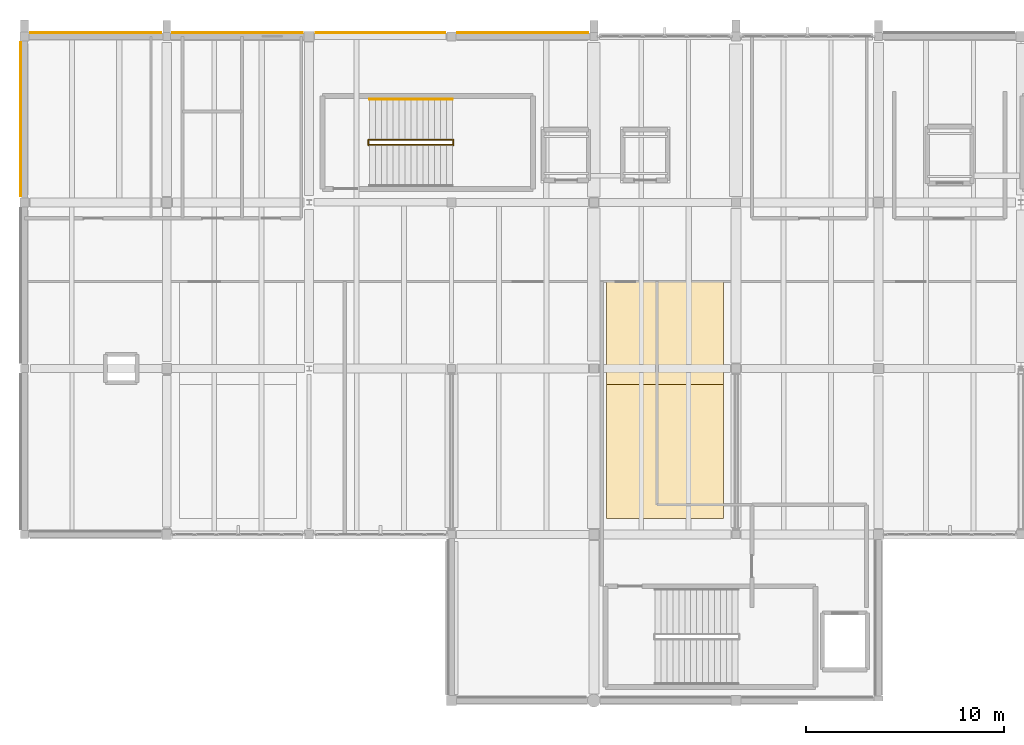
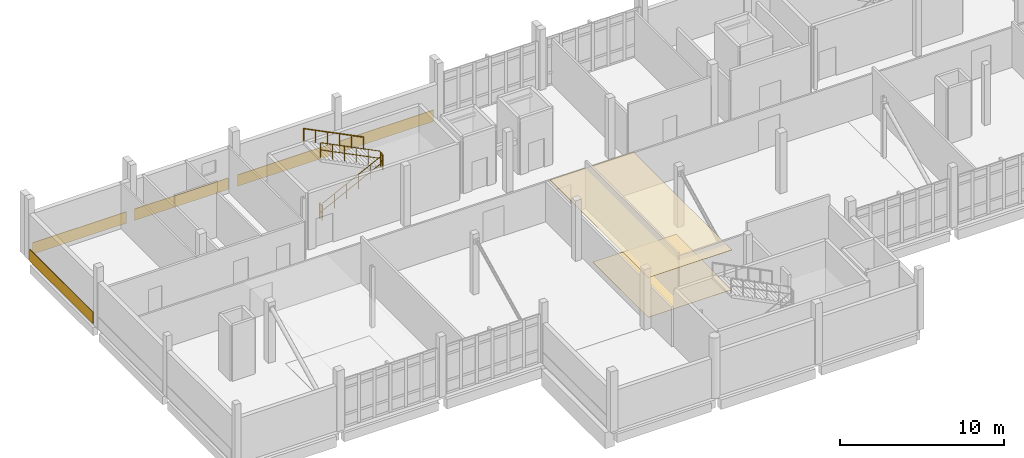
# One storey, part 33 of 34: 7 coverings, 5 railings.
"""IFC4 building model written with IfcOpenShell, lengths in metres."""

import ifcopenshell
import ifcopenshell.guid

model = None  # the IFC model being written
_history = None  # IfcOwnerHistory: only IFC2X3 demands one
_inside = {}  # id of a spatial element -> (the spatial element, [elements in it])
_under = {}  # id of a project, library or spatial element -> (it, [spatial elements below it])
_declared = {}  # id of a project -> (the project, [libraries it declares])
_typed = {}  # id of a type object -> (the type object, [elements of that type])
_made_of = {}  # id of a material, layer set ... -> (it, [elements and type objects made of it])


def new_model(schema):
    """Start an empty IFC model of exactly this schema.

    Asked for "IFC4X3", IfcOpenShell would pick the latest addendum, in which some entities
    have other attributes; the version numbers below select the first issue.
    IFC2X3 requires an IfcOwnerHistory on every rooted entity: one is made here for all.
    """
    global model, _history
    if schema == "IFC4X3":
        model = ifcopenshell.file(schema_version=(4, 3, 0, 0))
    else:
        model = ifcopenshell.file(schema=schema)
    _inside.clear()
    _under.clear()
    _declared.clear()
    _typed.clear()
    _made_of.clear()
    _history = None
    if model.schema == "IFC2X3":
        org = make("IfcOrganization", Name="unknown")
        user = make(
            "IfcPersonAndOrganization",
            ThePerson=make("IfcPerson", FamilyName="unknown"),
            TheOrganization=org,
        )
        app = make(
            "IfcApplication",
            ApplicationDeveloper=org,
            Version="unknown",
            ApplicationFullName="unknown",
            ApplicationIdentifier="unknown",
        )
        _history = make(
            "IfcOwnerHistory",
            OwningUser=user,
            OwningApplication=app,
            ChangeAction="ADDED",
            CreationDate=0,
        )
    return model


def make(cls, **values):
    """One entity of the class cls with the attributes given. An attribute that is None is left unset."""
    return model.create_entity(
        cls, **{name: value for name, value in values.items() if value is not None}
    )


def rooted(cls, **values):
    """An entity with a GlobalId (a new one), such as an element, a storey or a relation."""
    return make(cls, GlobalId=ifcopenshell.guid.new(), OwnerHistory=_history, **values)


def si_unit(unit_type, name, prefix=None):
    """IfcSIUnit, for example si_unit("LENGTHUNIT", "METRE", prefix="MILLI")."""
    return make("IfcSIUnit", UnitType=unit_type, Prefix=prefix, Name=name)


def assignment(units):
    """IfcUnitAssignment: the units of a project."""
    return None if units is None else make("IfcUnitAssignment", Units=units)


def point(xyz):
    """IfcCartesianPoint."""
    return None if xyz is None else make("IfcCartesianPoint", Coordinates=xyz)


def direction(xyz):
    """IfcDirection."""
    return None if xyz is None else make("IfcDirection", DirectionRatios=xyz)


def frame(location, z_axis=None, x_axis=None):
    """IfcAxis2Placement3D, a coordinate frame: its origin and axes. An axis left out is left unset."""
    return make(
        "IfcAxis2Placement3D",
        Location=point(location),
        Axis=direction(z_axis),
        RefDirection=direction(x_axis),
    )


def frame_2d(location, x_axis=None):
    """IfcAxis2Placement2D, a coordinate frame in the plane: its origin and x axis."""
    return make(
        "IfcAxis2Placement2D", Location=point(location), RefDirection=direction(x_axis)
    )


def origin():
    """The frame at (0, 0, 0) with its axes left unset."""
    return frame((0.0, 0.0, 0.0))


def origin_2d():
    """The frame at (0, 0) in the plane with its x axis left unset."""
    return frame_2d((0.0, 0.0))


def place(relative_to, where):
    """IfcLocalPlacement: puts the frame where relative to a parent placement (None: the world)."""
    return make(
        "IfcLocalPlacement", PlacementRelTo=relative_to, RelativePlacement=where
    )


def context(
    kind, dimensions, precision=None, world=None, true_north=None, identifier=None
):
    """IfcGeometricRepresentationContext, for example the 3D "Model" context."""
    return make(
        "IfcGeometricRepresentationContext",
        ContextIdentifier=identifier,
        ContextType=kind,
        CoordinateSpaceDimension=dimensions,
        Precision=precision,
        WorldCoordinateSystem=world,
        TrueNorth=true_north,
    )


def subcontext(parent, identifier, kind, view, scale=None):
    """IfcGeometricRepresentationSubContext, for example "Body" below "Model"."""
    return make(
        "IfcGeometricRepresentationSubContext",
        ContextIdentifier=identifier,
        ContextType=kind,
        ParentContext=parent,
        TargetScale=scale,
        TargetView=view,
    )


def project(units=None, contexts=None):
    """IfcProject with its units and contexts."""
    return rooted(
        "IfcProject",
        Name="project",
        RepresentationContexts=contexts,
        UnitsInContext=assignment(units),
    )


def spatial(cls, under=None, at=None, **own):
    """A site, building, storey or space (cls), placed at a placement, below another one or the project."""
    s = rooted(cls, ObjectPlacement=at, **own)
    if under is not None:
        _under.setdefault(under.id(), (under, []))[1].append(s)
    return s


def polyline(points):
    """IfcPolyline through the points."""
    return make("IfcPolyline", Points=[point(p) for p in points])


def profile(cls, at=None, kind="AREA", **sizes):
    """A parametric profile (cls). Its sizes go by their IFC names, for example OverallWidth=200.0."""
    return make(cls, ProfileType=kind, Position=at, **sizes)


def rectangle(**sizes):
    """IfcRectangleProfileDef."""
    return profile("IfcRectangleProfileDef", **sizes)


def circle(**sizes):
    """IfcCircleProfileDef."""
    return profile("IfcCircleProfileDef", **sizes)


def outline(outer, holes=None, kind="AREA"):
    """IfcArbitraryClosedProfileDef: a profile drawn as a closed curve; with holes, ...WithVoids."""
    if holes is None:
        return make("IfcArbitraryClosedProfileDef", ProfileType=kind, OuterCurve=outer)
    return make(
        "IfcArbitraryProfileDefWithVoids",
        ProfileType=kind,
        OuterCurve=outer,
        InnerCurves=holes,
    )


def extrude(swept, where, along, depth):
    """IfcExtrudedAreaSolid: the profile swept, set in the frame where, extruded along a direction by depth."""
    return make(
        "IfcExtrudedAreaSolid",
        SweptArea=swept,
        Position=where,
        ExtrudedDirection=direction(along),
        Depth=depth,
    )


def shape(context_of_items, identifier, shape_type, items):
    """IfcShapeRepresentation: the items that make up one representation, for example the "Body"."""
    return make(
        "IfcShapeRepresentation",
        ContextOfItems=context_of_items,
        RepresentationIdentifier=identifier,
        RepresentationType=shape_type,
        Items=items,
    )


def material(Name=None, Category=None):
    """IfcMaterial."""
    return make("IfcMaterial", Name=Name, Category=Category)


def layer(
    of_material, thickness, ventilated=None, Name=None, Category=None, Priority=None
):
    """IfcMaterialLayer: one layer of a wall or slab, of a material (None: an air gap)."""
    return make(
        "IfcMaterialLayer",
        Material=of_material,
        LayerThickness=thickness,
        IsVentilated=ventilated,
        Name=Name,
        Category=Category,
        Priority=Priority,
    )


def layer_set(layers, Name=None):
    """IfcMaterialLayerSet."""
    return make("IfcMaterialLayerSet", MaterialLayers=layers, LayerSetName=Name)


def made_of(thing, what):
    """Note that an element or type object is made of a material, layer set ...; save() writes the relation."""
    if what is not None:
        _made_of.setdefault(what.id(), (what, []))[1].append(thing)
    return thing


def type_object(cls, material=None, **own):
    """A type object (cls), such as IfcWallType, which elements share."""
    return made_of(rooted(cls, **own), material)


def element(
    cls,
    number,
    at=None,
    inside=None,
    cuts=None,
    type_object=None,
    material=None,
    context=None,
    identifier="Body",
    shape_type=None,
    held_by="IfcProductDefinitionShape",
    body=None,
    shapes=None,
    **own,
):
    """One element of the class cls, such as IfcWall. Its Tag is "e" and its number.

    at: its placement. inside: the storey or other place that contains it. cuts: it is an
    opening in that element (IfcRelVoidsElement). A single representation is given by context,
    identifier, shape_type and body (its items); several are given by shapes. held_by: the class
    of the entity that holds the representations. save() writes the other relations.
    """
    e = rooted(cls, Tag="e%d" % number, ObjectPlacement=at, **own)
    if body is not None:
        shapes = [shape(context, identifier, shape_type, body)]
    if shapes is not None:
        e.Representation = make(held_by, Representations=shapes)
    if inside is not None:
        _inside.setdefault(inside.id(), (inside, []))[1].append(e)
    if cuts is not None:
        rooted(
            "IfcRelVoidsElement", RelatingBuildingElement=cuts, RelatedOpeningElement=e
        )
    if type_object is not None:
        _typed.setdefault(type_object.id(), (type_object, []))[1].append(e)
    return made_of(e, material)


def aggregate(whole, parts):
    """IfcRelAggregates: a whole, such as a stair, and the parts it consists of."""
    return rooted("IfcRelAggregates", RelatingObject=whole, RelatedObjects=parts)


def save(model, path):
    """Write the relations noted so far, then the file.

    IfcRelAggregates (storeys below a building ...), IfcRelContainedInSpatialStructure (elements
    in a storey), IfcRelDefinesByType, IfcRelAssociatesMaterial and IfcRelDeclares: one each for
    every whole, place, type object, material and project.
    """
    for whole, parts in _under.values():
        aggregate(whole, parts)
    for where, things in _inside.values():
        rooted(
            "IfcRelContainedInSpatialStructure",
            RelatedElements=things,
            RelatingStructure=where,
        )
    for kind, things in _typed.values():
        rooted("IfcRelDefinesByType", RelatedObjects=things, RelatingType=kind)
    for what, things in _made_of.values():
        rooted("IfcRelAssociatesMaterial", RelatedObjects=things, RelatingMaterial=what)
    for by, libraries in _declared.values():
        rooted("IfcRelDeclares", RelatingContext=by, RelatedDefinitions=libraries)
    model.write(path)


model = new_model("IFC4")

# Units and contexts
model_context = context("Model", 3, precision=1e-05, world=origin(), true_north=direction((0.0, 1.0)))
body_context = subcontext(model_context, "Body", "Model", "MODEL_VIEW")
ifc_project = project(units=[si_unit("LENGTHUNIT", "METRE"), si_unit("AREAUNIT", "SQUARE_METRE"), si_unit("VOLUMEUNIT", "CUBIC_METRE"), si_unit("PLANEANGLEUNIT", "RADIAN"), si_unit("MASSUNIT", "GRAM", prefix="KILO")], contexts=[model_context])

# Site, building, storey
site_placement = place(None, origin())
site = spatial("IfcSite", under=ifc_project, at=site_placement, CompositionType="ELEMENT")
building_placement = place(site_placement, origin())
building = spatial("IfcBuilding", under=site, at=building_placement, Name="Kalluvel Institute of Natural Sciences", CompositionType="ELEMENT")
storey_placement = place(building_placement, frame((0.0, 0.0, 36.89990234375)))
storey = spatial("IfcBuildingStorey", under=building, at=storey_placement, Name="L08", CompositionType="ELEMENT", Elevation=36.89990234375)

# Coverings
ifc_material_1 = material(Name="Perforated Mineral-Fibre Acoustic Tile", Category="gypsum")
ifc_layer_1 = layer(ifc_material_1, 0.02490234375)
ifc_layer_set_1 = layer_set([ifc_layer_1], Name="Perforated Mineral-Fibre Acoustic Tile")
covering_type_1 = type_object("IfcCoveringType", Name="COV-CEIL-600", PredefinedType="CEILING", material=ifc_layer_set_1)
covering_1_placement = place(storey_placement, frame((0.0, 0.0, 2.9501953125)))
element("IfcCovering", 1, at=covering_1_placement, inside=storey, type_object=covering_type_1, Name="L08 laboratory acoustic ceiling panel 18", PredefinedType="CEILING", context=body_context, shape_type="SweptSolid", body=[
    extrude(outline(polyline([(43.449951171875, 103.60009765625), (49.35009765625, 103.60009765625), (49.35009765625, 115.60009765625), (43.449951171875, 115.60009765625), (43.449951171875, 103.60009765625)])), origin(), (0.0, 0.0, 1.0), 0.02490234375),
])
ifc_material_2 = material(Name="Sadarahalli Grey Granite Ashlar Concrete M40", Category="masonry")
ifc_layer_2 = layer(ifc_material_2, 0.044921875)
ifc_layer_set_2 = layer_set([ifc_layer_2], Name="Sadarahalli Grey Granite Ashlar Concrete M40")
covering_type_2 = type_object("IfcCoveringType", Name="COV-CLAD-STONE", PredefinedType="CLADDING", material=ifc_layer_set_2)
covering_2_placement = place(storey_placement, frame((17.612548828125, 128.179931640625, 0.025146484375), z_axis=(0.0, 0.0, 1.0), x_axis=(1.0, 0.0, 0.0)))
element("IfcCovering", 2, at=covering_2_placement, inside=storey, type_object=covering_type_2, Name="L08 Sadarahalli granite plinth spandrel cladding 95", PredefinedType="CLADDING", context=body_context, shape_type="SweptSolid", body=[
    extrude(rectangle(XDim=6.614990234375, YDim=0.044921875, at=origin_2d()), origin(), (0.0, 0.0, 1.0), 0.85009765625),
])
covering_3_placement = place(storey_placement, frame((24.77490234375, 128.179931640625, 0.025146484375), z_axis=(0.0, 0.0, 1.0), x_axis=(1.0, 0.0, 0.0)))
element("IfcCovering", 3, at=covering_3_placement, inside=storey, type_object=covering_type_2, Name="L08 Sadarahalli granite plinth spandrel cladding 96", PredefinedType="CLADDING", context=body_context, shape_type="SweptSolid", body=[
    extrude(rectangle(XDim=6.590087890625, YDim=0.044921875, at=origin_2d()), origin(), (0.0, 0.0, 1.0), 0.85009765625),
])
covering_4_placement = place(storey_placement, frame((32.012451171875, 128.179931640625, 0.025146484375), z_axis=(0.0, 0.0, 1.0), x_axis=(1.0, 0.0, 0.0)))
element("IfcCovering", 4, at=covering_4_placement, inside=storey, type_object=covering_type_2, Name="L08 Sadarahalli granite plinth spandrel cladding 97", PredefinedType="CLADDING", context=body_context, shape_type="SweptSolid", body=[
    extrude(rectangle(XDim=6.56494140625, YDim=0.044921875, at=origin_2d()), origin(), (0.0, 0.0, 1.0), 0.85009765625),
])
covering_5_placement = place(storey_placement, frame((39.21240234375, 128.179931640625, 0.025146484375), z_axis=(0.0, 0.0, 1.0), x_axis=(1.0, 0.0, 0.0)))
element("IfcCovering", 5, at=covering_5_placement, inside=storey, type_object=covering_type_2, Name="L08 Sadarahalli granite plinth spandrel cladding 98", PredefinedType="CLADDING", context=body_context, shape_type="SweptSolid", body=[
    extrude(rectangle(XDim=6.614990234375, YDim=0.044921875, at=origin_2d()), origin(), (0.0, 0.0, 1.0), 0.85009765625),
])
covering_6_placement = place(storey_placement, frame((13.820068359375, 123.800048828125, 0.025146484375), z_axis=(0.0, 0.0, 1.0), x_axis=(0.0, 1.0, 0.0)))
element("IfcCovering", 6, at=covering_6_placement, inside=storey, type_object=covering_type_2, Name="L08 Sadarahalli granite plinth spandrel cladding 106", PredefinedType="CLADDING", context=body_context, shape_type="SweptSolid", body=[
    extrude(rectangle(XDim=7.7900390625, YDim=0.044921875, at=origin_2d()), origin(), (0.0, 0.0, 1.0), 0.85009765625),
])
ifc_material_3 = material(Name="Seamless Chemical-Resistant Epoxy Flooring", Category="resin")
ifc_layer_3 = layer(ifc_material_3, 0.014892578125)
ifc_layer_set_3 = layer_set([ifc_layer_3], Name="Seamless Chemical-Resistant Epoxy Flooring")
covering_type_3 = type_object("IfcCoveringType", Name="COV-FLR-EPOXY", PredefinedType="FLOORING", material=ifc_layer_set_3)
covering_7_placement = place(storey_placement, origin())
element("IfcCovering", 7, at=covering_7_placement, inside=storey, type_object=covering_type_3, Name="L08 seamless epoxy laboratory floor finish 18", PredefinedType="FLOORING", context=body_context, shape_type="SweptSolid", body=[
    extrude(outline(polyline([(43.449951171875, 103.60009765625), (49.35009765625, 103.60009765625), (49.35009765625, 110.39990234375), (43.449951171875, 110.39990234375), (43.449951171875, 103.60009765625)])), origin(), (0.0, 0.0, 1.0), 0.01513671875),
])

# Railings
ifc_material_4 = material(Name="Galvanized Fire-Rated Steel", Category="steel")
railing_type_1 = type_object("IfcRailingType", Name="RL-GD-STAIR", PredefinedType="BALUSTRADE", material=ifc_material_4)
railing_1_placement = place(storey_placement, frame((31.449951171875, 122.510009765625, 0.150146484375)))
element("IfcRailing", 8, at=railing_1_placement, inside=storey, type_object=railing_type_1, Name="L08 ST1 stair guard 1", PredefinedType="BALUSTRADE", context=body_context, shape_type="SweptSolid", body=[
    extrude(circle(Radius=0.02392578125, at=origin_2d()), frame((0.0, 0.0, 1.09619140625), z_axis=(0.894437589381, 0.0, 0.447192798132), x_axis=(0.0, 1.0, 0.0)), (0.0, 0.0, 1.0), 4.695556640625),
    extrude(circle(Radius=0.02392578125, at=origin_2d()), frame((0.0, 0.0, 0.56005859375), z_axis=(0.894437589381, 0.0, 0.447192798132), x_axis=(0.0, 1.0, 0.0)), (0.0, 0.0, 1.0), 4.695556640625),
    extrude(circle(Radius=0.02099609375, at=origin_2d()), origin(), (0.0, 0.0, 1.0), 1.072021484375),
    extrude(circle(Radius=0.02099609375, at=origin_2d()), frame((0.840087890625, 0.0, 0.419921875)), (0.0, 0.0, 1.0), 1.072021484375),
    extrude(circle(Radius=0.02099609375, at=origin_2d()), frame((1.679931640625, 0.0, 0.83984375)), (0.0, 0.0, 1.0), 1.072021484375),
    extrude(circle(Radius=0.02099609375, at=origin_2d()), frame((2.52001953125, 0.0, 1.260009765625)), (0.0, 0.0, 1.0), 1.072021484375),
    extrude(circle(Radius=0.02099609375, at=origin_2d()), frame((3.35986328125, 0.0, 1.679931640625)), (0.0, 0.0, 1.0), 1.072021484375),
    extrude(circle(Radius=0.02099609375, at=origin_2d()), frame((4.199951171875, 0.0, 2.099853515625)), (0.0, 0.0, 1.0), 1.072021484375),
])
railing_2_placement = place(storey_placement, frame((35.699951171875, 122.4951171875, 2.25)))
element("IfcRailing", 9, at=railing_2_placement, inside=storey, type_object=railing_type_1, Name="L08 ST1 stair guard 2", PredefinedType="BALUSTRADE", context=body_context, shape_type="SweptSolid", body=[
    extrude(circle(Radius=0.02392578125, at=origin_2d()), frame((0.0, 0.0, 1.09619140625), z_axis=(0.0, 1.0, 0.0), x_axis=(-1.0, 0.0, 0.0)), (0.0, 0.0, 1.0), 0.27978515625),
    extrude(circle(Radius=0.02392578125, at=origin_2d()), frame((0.0, 0.0, 0.56005859375), z_axis=(0.0, 1.0, 0.0), x_axis=(-1.0, 0.0, 0.0)), (0.0, 0.0, 1.0), 0.27978515625),
    extrude(circle(Radius=0.02099609375, at=origin_2d()), origin(), (0.0, 0.0, 1.0), 1.072021484375),
    extrude(circle(Radius=0.02099609375, at=origin_2d()), frame((0.0, 0.27978515625, 0.0)), (0.0, 0.0, 1.0), 1.072021484375),
])
railing_3_placement = place(storey_placement, frame((35.64990234375, 122.760009765625, 2.400146484375)))
element("IfcRailing", 10, at=railing_3_placement, inside=storey, type_object=railing_type_1, Name="L08 ST1 stair guard 3", PredefinedType="BALUSTRADE", context=body_context, shape_type="SweptSolid", body=[
    extrude(circle(Radius=0.02392578125, at=origin_2d()), frame((0.0, 0.0, 1.09619140625), z_axis=(-0.894437589381, 0.0, 0.447192798132), x_axis=(0.0, -1.0, 0.0)), (0.0, 0.0, 1.0), 4.695556640625),
    extrude(circle(Radius=0.02392578125, at=origin_2d()), frame((0.0, 0.0, 0.56005859375), z_axis=(-0.894437589381, 0.0, 0.447192798132), x_axis=(0.0, -1.0, 0.0)), (0.0, 0.0, 1.0), 4.695556640625),
    extrude(circle(Radius=0.02099609375, at=origin_2d()), origin(), (0.0, 0.0, 1.0), 1.072021484375),
    extrude(circle(Radius=0.02099609375, at=origin_2d()), frame((-0.840087890625, 0.0, 0.419921875)), (0.0, 0.0, 1.0), 1.072021484375),
    extrude(circle(Radius=0.02099609375, at=origin_2d()), frame((-1.679931640625, 0.0, 0.83984375)), (0.0, 0.0, 1.0), 1.072021484375),
    extrude(circle(Radius=0.02099609375, at=origin_2d()), frame((-2.52001953125, 0.0, 1.260009765625)), (0.0, 0.0, 1.0), 1.072021484375),
    extrude(circle(Radius=0.02099609375, at=origin_2d()), frame((-3.35986328125, 0.0, 1.679931640625)), (0.0, 0.0, 1.0), 1.072021484375),
    extrude(circle(Radius=0.02099609375, at=origin_2d()), frame((-4.199951171875, 0.0, 2.099853515625)), (0.0, 0.0, 1.0), 1.072021484375),
])
railing_4_placement = place(storey_placement, frame((31.39990234375, 122.4951171875, 0.0)))
element("IfcRailing", 11, at=railing_4_placement, inside=storey, type_object=railing_type_1, Name="L08 ST1 stair guard 4", PredefinedType="BALUSTRADE", context=body_context, shape_type="SweptSolid", body=[
    extrude(circle(Radius=0.02392578125, at=origin_2d()), frame((0.0, 0.0, 1.09619140625), z_axis=(0.0, 1.0, 0.0), x_axis=(-1.0, 0.0, 0.0)), (0.0, 0.0, 1.0), 0.27978515625),
    extrude(circle(Radius=0.02392578125, at=origin_2d()), frame((0.0, 0.0, 0.56005859375), z_axis=(0.0, 1.0, 0.0), x_axis=(-1.0, 0.0, 0.0)), (0.0, 0.0, 1.0), 0.27978515625),
    extrude(circle(Radius=0.02099609375, at=origin_2d()), origin(), (0.0, 0.0, 1.0), 1.072021484375),
    extrude(circle(Radius=0.02099609375, at=origin_2d()), frame((0.0, 0.27978515625, 0.0)), (0.0, 0.0, 1.0), 1.072021484375),
])
railing_type_2 = type_object("IfcRailingType", Name="RL-HR-STAIR", PredefinedType="HANDRAIL", material=ifc_material_4)
railing_5_placement = place(storey_placement, frame((35.64990234375, 124.820068359375, 2.400146484375)))
element("IfcRailing", 12, at=railing_5_placement, inside=storey, type_object=railing_type_2, Name="L08 ST1 stair handrail 2", PredefinedType="HANDRAIL", context=body_context, shape_type="SweptSolid", body=[
    extrude(circle(Radius=0.02392578125, at=origin_2d()), frame((0.0, 0.0, 0.89599609375), z_axis=(-0.894437589381, 0.0, 0.447192798132), x_axis=(0.0, -1.0, 0.0)), (0.0, 0.0, 1.0), 4.695556640625),
    extrude(circle(Radius=0.02099609375, at=origin_2d()), origin(), (0.0, 0.0, 1.0), 0.871826171875),
    extrude(circle(Radius=0.02099609375, at=origin_2d()), frame((-0.840087890625, 0.0, 0.419921875)), (0.0, 0.0, 1.0), 0.871826171875),
    extrude(circle(Radius=0.02099609375, at=origin_2d()), frame((-1.679931640625, 0.0, 0.83984375)), (0.0, 0.0, 1.0), 0.871826171875),
    extrude(circle(Radius=0.02099609375, at=origin_2d()), frame((-2.52001953125, 0.0, 1.260009765625)), (0.0, 0.0, 1.0), 0.871826171875),
    extrude(circle(Radius=0.02099609375, at=origin_2d()), frame((-3.35986328125, 0.0, 1.679931640625)), (0.0, 0.0, 1.0), 0.871826171875),
    extrude(circle(Radius=0.02099609375, at=origin_2d()), frame((-4.199951171875, 0.0, 2.099853515625)), (0.0, 0.0, 1.0), 0.871826171875),
])

save(model, "model.ifc")
